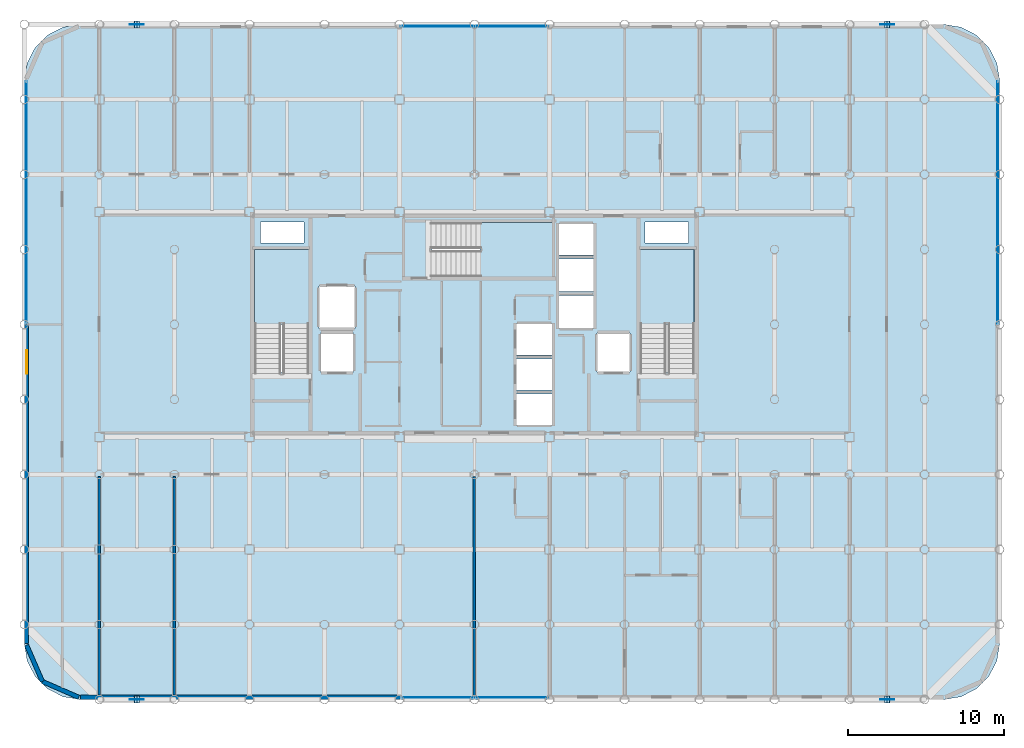
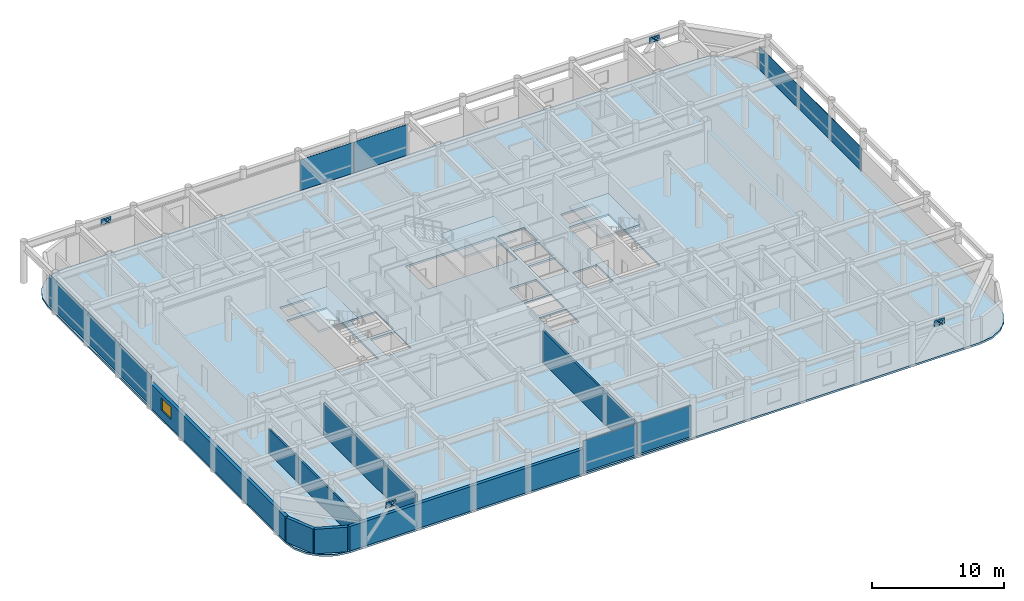
# One storey, part 16 of 22: 18 plates, 7 walls, 4 slabs, 1 window, 1 opening, 7 elements without a shape of their own.
"""IFC4 building model written with IfcOpenShell, lengths in metres."""

from ifc_helpers import new_model, si_unit, direction, frame, frame_2d, origin, origin_2d, place, context, subcontext, project, spatial, polyline, rectangle, outline, extrude, material, layer, layer_set, type_object, element, fill, aggregate, save


model = new_model("IFC4")

# Units and contexts
model_context = context("Model", 3, precision=1e-05, world=origin(), true_north=direction((0.0, 1.0)))
body_context = subcontext(model_context, "Body", "Model", "MODEL_VIEW")
ifc_project = project(units=[si_unit("LENGTHUNIT", "METRE"), si_unit("AREAUNIT", "SQUARE_METRE"), si_unit("VOLUMEUNIT", "CUBIC_METRE"), si_unit("PLANEANGLEUNIT", "RADIAN"), si_unit("MASSUNIT", "GRAM", prefix="KILO")], contexts=[model_context])

# Site, building, storey
site_placement = place(None, origin())
site = spatial("IfcSite", under=ifc_project, at=site_placement, CompositionType="ELEMENT")
building_placement = place(site_placement, origin())
building = spatial("IfcBuilding", under=site, at=building_placement, Name="Kallvorn Hotel Tower", CompositionType="ELEMENT")
storey_placement = place(building_placement, frame((0.0, 0.0, 206.89990234375)))
storey = spatial("IfcBuildingStorey", under=building, at=storey_placement, Name="L51", CompositionType="ELEMENT", Elevation=206.89990234375)

# Curtain wall, plates
ifc_material_1 = material(Name="Thermally broken black-anodised aluminium AA 6063-T6", Category="aluminium")
ifc_layer_1 = layer(ifc_material_1, 0.22998046875)
ifc_layer_set_1 = layer_set([ifc_layer_1], Name="CW_SYS_5_HOTEL_HIGH")
curtain_wall_type = type_object("IfcCurtainWallType", Name="CW_SYS_5_HOTEL_HIGH", PredefinedType="USERDEFINED", material=ifc_layer_set_1)
curtain_wall_1_placement = place(storey_placement, origin())
curtain_wall_1 = element("IfcCurtainWall", 1, at=curtain_wall_1_placement, inside=storey, type_object=curtain_wall_type, Name="L51 Dark-Glass Curtain Wall CW-L51-SC", ObjectType="UNITISED CURTAIN WALL", PredefinedType="USERDEFINED")
ifc_material_2 = material(Name="Triple-glazed low-e acoustic solar-control dark glass", Category="glass")
ifc_layer_2 = layer(ifc_material_2, 0.04150390625)
ifc_layer_set_2 = layer_set([ifc_layer_2], Name="CW_SYS_5_HOTEL_HIGH_PANEL")
plate_type_1 = type_object("IfcPlateType", Name="CW_SYS_5_HOTEL_HIGH_PANEL", PredefinedType="CURTAIN_PANEL", material=ifc_layer_set_2)
plate_1_placement = place(storey_placement, frame((-2.375, -23.8798828125, 0.06005859375), z_axis=(0.0, 0.0, 1.0), x_axis=(1.0, 0.0, 0.0)))
plate_1 = element("IfcPlate", 2, at=plate_1_placement, type_object=plate_type_1, Name="CW-L51-SC Vision Glass Panel 00", PredefinedType="CURTAIN_PANEL", context=body_context, shape_type="SweptSolid", body=[
    extrude(rectangle(XDim=4.68994140625, YDim=0.04150390625, at=origin_2d()), origin(), (0.0, 0.0, 1.0), 2.89990234375),
])
plate_2_placement = place(storey_placement, frame((2.375, -23.8798828125, 0.06005859375), z_axis=(0.0, 0.0, 1.0), x_axis=(1.0, 0.0, 0.0)))
plate_2 = element("IfcPlate", 3, at=plate_2_placement, type_object=plate_type_1, Name="CW-L51-SC Vision Glass Panel 01", PredefinedType="CURTAIN_PANEL", context=body_context, shape_type="SweptSolid", body=[
    extrude(rectangle(XDim=4.68994140625, YDim=0.04150390625, at=origin_2d()), origin(), (0.0, 0.0, 1.0), 2.89990234375),
])
aggregate(curtain_wall_1, [plate_1, plate_2])

curtain_wall_2_placement = place(storey_placement, origin())
curtain_wall_2 = element("IfcCurtainWall", 4, at=curtain_wall_2_placement, inside=storey, type_object=curtain_wall_type, Name="L51 Dark-Glass Curtain Wall CW-L51-NC", ObjectType="UNITISED CURTAIN WALL", PredefinedType="USERDEFINED")
plate_3_placement = place(storey_placement, frame((-2.375, 19.080078125, 0.06005859375), z_axis=(0.0, 0.0, 1.0), x_axis=(1.0, 0.0, 0.0)))
plate_3 = element("IfcPlate", 5, at=plate_3_placement, type_object=plate_type_1, Name="CW-L51-NC Vision Glass Panel 00", PredefinedType="CURTAIN_PANEL", context=body_context, shape_type="SweptSolid", body=[
    extrude(rectangle(XDim=4.68994140625, YDim=0.04150390625, at=origin_2d()), origin(), (0.0, 0.0, 1.0), 2.85009765625),
])
plate_4_placement = place(storey_placement, frame((2.375, 19.080078125, 0.06005859375), z_axis=(0.0, 0.0, 1.0), x_axis=(1.0, 0.0, 0.0)))
plate_4 = element("IfcPlate", 6, at=plate_4_placement, type_object=plate_type_1, Name="CW-L51-NC Vision Glass Panel 01", PredefinedType="CURTAIN_PANEL", context=body_context, shape_type="SweptSolid", body=[
    extrude(rectangle(XDim=4.68994140625, YDim=0.04150390625, at=origin_2d()), origin(), (0.0, 0.0, 1.0), 2.85009765625),
])
aggregate(curtain_wall_2, [plate_3, plate_4])

# Curtain wall, plate
curtain_wall_3_placement = place(storey_placement, origin())
curtain_wall_3 = element("IfcCurtainWall", 7, at=curtain_wall_3_placement, inside=storey, type_object=curtain_wall_type, Name="L51 Dark-Glass Curtain Wall CW-L51-WN", ObjectType="UNITISED CURTAIN WALL", PredefinedType="USERDEFINED")
plate_5_placement = place(storey_placement, frame((-28.679931640625, 7.81005859375, 0.06005859375), z_axis=(0.0, 0.0, 1.0), x_axis=(0.0, 1.0, 0.0)))
plate_5 = element("IfcPlate", 8, at=plate_5_placement, type_object=plate_type_1, Name="CW-L51-WN Vision Glass Panel 00", PredefinedType="CURTAIN_PANEL", context=body_context, shape_type="SweptSolid", body=[
    extrude(rectangle(XDim=15.52001953125, YDim=0.04150390625, at=origin_2d()), origin(), (0.0, 0.0, 1.0), 2.85009765625),
])
aggregate(curtain_wall_3, [plate_5])

curtain_wall_4_placement = place(storey_placement, origin())
curtain_wall_4 = element("IfcCurtainWall", 9, at=curtain_wall_4_placement, inside=storey, type_object=curtain_wall_type, Name="L51 Dark-Glass Curtain Wall CW-L51-EN", ObjectType="UNITISED CURTAIN WALL", PredefinedType="USERDEFINED")
plate_6_placement = place(storey_placement, frame((33.47998046875, 7.81005859375, 0.06005859375), z_axis=(0.0, 0.0, 1.0), x_axis=(0.0, 1.0, 0.0)))
plate_6 = element("IfcPlate", 10, at=plate_6_placement, type_object=plate_type_1, Name="CW-L51-EN Vision Glass Panel 00", PredefinedType="CURTAIN_PANEL", context=body_context, shape_type="SweptSolid", body=[
    extrude(rectangle(XDim=15.52001953125, YDim=0.04150390625, at=origin_2d()), origin(), (0.0, 0.0, 1.0), 2.14990234375),
])
aggregate(curtain_wall_4, [plate_6])

# Plates
ifc_material_3 = material(Name="Structural steel S355JR", Category="steel")
ifc_layer_3 = layer(ifc_material_3, 0.030029296875)
ifc_layer_set_3 = layer_set([ifc_layer_3], Name="PLT_CAP_30")
plate_type_2 = type_object("IfcPlateType", Name="PLT_CAP_30", PredefinedType="SHEET", material=ifc_layer_set_3)
for number, where, z_axis, x_axis, name in (
    (11, (-21.424072265625, -24.2177734375, 3.03125), (0.627357871236, 0.0, 0.778731084135), (0.0, 1.0, 0.0), "EXO-L51-S1A End Cap Plate B"),
    (12, (-21.77587890625, -23.7822265625, 3.03125), (-0.627357871236, 0.0, 0.778731084135), (0.0, -1.0, 0.0), "EXO-L51-S1B End Cap Plate B"),
    (13, (26.575927734375, -24.2177734375, 3.03125), (0.627357871236, 0.0, 0.778731084135), (0.0, 1.0, 0.0), "EXO-L51-S2A End Cap Plate B"),
    (14, (26.22412109375, -23.7822265625, 3.03125), (-0.627357871236, 0.0, 0.778731084135), (0.0, -1.0, 0.0), "EXO-L51-S2B End Cap Plate B"),
    (15, (-21.424072265625, 18.982177734375, 3.03125), (0.627357871236, 0.0, 0.778731084135), (0.0, 1.0, 0.0), "EXO-L51-N1A End Cap Plate B"),
    (16, (-21.77587890625, 19.417724609375, 3.03125), (-0.627357871236, 0.0, 0.778731084135), (0.0, -1.0, 0.0), "EXO-L51-N1B End Cap Plate B"),
    (17, (26.575927734375, 18.982177734375, 3.03125), (0.627357871236, 0.0, 0.778731084135), (0.0, 1.0, 0.0), "EXO-L51-N2A End Cap Plate B"),
    (18, (26.22412109375, 19.417724609375, 3.03125), (-0.627357871236, 0.0, 0.778731084135), (0.0, -1.0, 0.0), "EXO-L51-N2B End Cap Plate B"),
):
    element("IfcPlate", number, at=place(storey_placement, frame(where, z_axis=z_axis, x_axis=x_axis)), inside=storey, type_object=plate_type_2, Name=name, PredefinedType="SHEET", context=body_context, shape_type="SweptSolid", body=[
        extrude(outline(polyline([(0.0, 0.0), (0.435546875, 0.0), (0.435546875, 0.4354665365665878), (0.0, 0.4354665365665878), (0.0, 0.0)])), origin(), (0.0, 0.0, -1.0), 0.030029296875),
    ])
ifc_material_4 = material(Name="Structural steel S355JR", Category="steel")
ifc_layer_4 = layer(ifc_material_4, 0.034912109375)
ifc_layer_set_4 = layer_set([ifc_layer_4], Name="PLT_GUSSET_35")
plate_type_3 = type_object("IfcPlateType", Name="PLT_GUSSET_35", PredefinedType="USERDEFINED", material=ifc_layer_set_4)
for number, where, z_axis, x_axis, name in (
    (19, (-21.60009765625, -24.0, 2.840087890625), (0.0, 0.0, 1.0), (1.0, 0.0, 0.0), "L51 Exoskeleton Node Gusset S1"),
    (20, (26.39990234375, -24.0, 2.840087890625), (0.0, 0.0, 1.0), (1.0, 0.0, 0.0), "L51 Exoskeleton Node Gusset S2"),
    (21, (-21.60009765625, 19.199951171875, 2.840087890625), (0.0, 0.0, 1.0), (1.0, 0.0, 0.0), "L51 Exoskeleton Node Gusset N1"),
    (22, (26.39990234375, 19.199951171875, 2.840087890625), (0.0, 0.0, 1.0), (1.0, 0.0, 0.0), "L51 Exoskeleton Node Gusset N2"),
):
    element("IfcPlate", number, at=place(storey_placement, frame(where, z_axis=z_axis, x_axis=x_axis)), inside=storey, type_object=plate_type_3, Name=name, ObjectType="GUSSET PLATE", PredefinedType="USERDEFINED", context=body_context, shape_type="SweptSolid", body=[
        extrude(rectangle(XDim=0.89990234375, YDim=0.034912109375, at=origin_2d()), origin(), (0.0, 0.0, 1.0), 0.56005859375),
    ])

# Stair, slab
ifc_material_5 = material(Name="Precast concrete C40/50", Category="concrete")
stair_type = type_object("IfcStairType", Name="STR_CORE_DOGLEG", PredefinedType="HALF_TURN_STAIR", material=ifc_material_5)
stair_1_placement = place(storey_placement, origin())
stair_1 = element("IfcStair", 23, at=stair_1_placement, inside=storey, type_object=stair_type, Name="L51 Exit stair ST1", PredefinedType="HALF_TURN_STAIR")
ifc_material_6 = material(Name="Precast concrete C40/50", Category="concrete")
ifc_layer_5 = layer(ifc_material_6, 0.179931640625)
ifc_layer_set_5 = layer_set([ifc_layer_5], Name="SLB_LANDING_180")
slab_type_1 = type_object("IfcSlabType", Name="SLB_LANDING_180", PredefinedType="LANDING", material=ifc_layer_set_5)
slab_1_placement = place(storey_placement, frame((0.0, 0.0, 1.72509765625)))
slab_1 = element("IfcSlab", 24, at=slab_1_placement, type_object=slab_type_1, Name="ST1 landing 1", PredefinedType="LANDING", context=body_context, shape_type="SweptSolid", body=[
    extrude(outline(polyline([(-10.60009765625, 0.010009765625), (-10.60009765625, 4.800048828125), (-14.06005859375, 4.800048828125), (-14.06005859375, 0.010009765625), (-10.60009765625, 0.010009765625)])), origin(), (0.0, 0.0, 1.0), 0.199951171875),
])
aggregate(stair_1, [slab_1])

stair_2_placement = place(storey_placement, origin())
stair_2 = element("IfcStair", 25, at=stair_2_placement, inside=storey, type_object=stair_type, Name="L51 Exit stair ST2", PredefinedType="HALF_TURN_STAIR")
slab_2_placement = place(storey_placement, frame((0.0, 0.0, 1.72509765625)))
slab_2 = element("IfcSlab", 26, at=slab_2_placement, type_object=slab_type_1, Name="ST2 landing 1", PredefinedType="LANDING", context=body_context, shape_type="SweptSolid", body=[
    extrude(outline(polyline([(14.06005859375, 0.010009765625), (14.06005859375, 4.800048828125), (10.60009765625, 4.800048828125), (10.60009765625, 0.010009765625), (14.06005859375, 0.010009765625)])), origin(), (0.0, 0.0, 1.0), 0.199951171875),
])
aggregate(stair_2, [slab_2])

stair_3_placement = place(storey_placement, origin())
stair_3 = element("IfcStair", 27, at=stair_3_placement, inside=storey, type_object=stair_type, Name="L51 Exit stair ST3", PredefinedType="HALF_TURN_STAIR")
slab_3_placement = place(storey_placement, frame((0.0, 0.0, 1.72509765625)))
slab_3 = element("IfcSlab", 28, at=slab_3_placement, type_object=slab_type_1, Name="ST3 landing 1", PredefinedType="LANDING", context=body_context, shape_type="SweptSolid", body=[
    extrude(outline(polyline([(0.360107421875, 3.050048828125), (5.050048828125, 3.050048828125), (5.050048828125, 6.510009765625), (0.360107421875, 6.510009765625), (0.360107421875, 3.050048828125)])), origin(), (0.0, 0.0, 1.0), 0.199951171875),
])
aggregate(stair_3, [slab_3])

# Slab
ifc_material_7 = material(Name="Concrete C40/50", Category="concrete")
ifc_layer_6 = layer(ifc_material_7, 0.179931640625)
ifc_layer_set_6 = layer_set([ifc_layer_6], Name="SLB_TOWER_180")
slab_type_2 = type_object("IfcSlabType", Name="SLB_TOWER_180", PredefinedType="FLOOR", material=ifc_layer_set_6)
slab_4_placement = place(storey_placement, frame((0.0, 0.0, -0.179931640625)))
element("IfcSlab", 29, at=slab_4_placement, inside=storey, type_object=slab_type_2, Name="L51 Structural Floor Slab", PredefinedType="FLOOR", context=body_context, shape_type="SweptSolid", body=[
    extrude(outline(polyline([(30.0, -24.0), (31.112548828125, -23.82373046875), (32.115966796875, -23.3125), (32.91259765625, -22.51611328125), (33.423828125, -21.512451171875), (33.60009765625, -20.39990234375), (33.60009765625, 15.60009765625), (33.423828125, 16.71240234375), (32.91259765625, 17.716064453125), (32.115966796875, 18.512451171875), (31.112548828125, 19.023681640625), (30.0, 19.199951171875), (-25.199951171875, 19.199951171875), (-26.3125, 19.023681640625), (-27.31591796875, 18.512451171875), (-28.112548828125, 17.716064453125), (-28.623779296875, 16.71240234375), (-28.800048828125, 15.60009765625), (-28.800048828125, -20.39990234375), (-28.623779296875, -21.512451171875), (-28.112548828125, -22.51611328125), (-27.31591796875, -23.3125), (-26.3125, -23.82373046875), (-25.199951171875, -24.0), (30.0, -24.0)]), holes=[polyline([(-10.60009765625, -3.070068359375), (-10.60009765625, 4.800048828125), (-14.06005859375, 4.800048828125), (-14.06005859375, -3.070068359375), (-10.60009765625, -3.070068359375)]), polyline([(14.06005859375, -3.070068359375), (14.06005859375, 4.800048828125), (10.60009765625, 4.800048828125), (10.60009765625, -3.070068359375), (14.06005859375, -3.070068359375)]), polyline([(-2.719970703125, 3.050048828125), (5.050048828125, 3.050048828125), (5.050048828125, 6.510009765625), (-2.719970703125, 6.510009765625), (-2.719970703125, 3.050048828125)]), polyline([(2.64990234375, -6.449951171875), (5.0, -6.449951171875), (5.0, -4.449951171875), (2.64990234375, -4.449951171875), (2.64990234375, -6.449951171875)]), polyline([(2.64990234375, -4.199951171875), (5.0, -4.199951171875), (5.0, -2.199951171875), (2.64990234375, -2.199951171875), (2.64990234375, -4.199951171875)]), polyline([(2.64990234375, -1.949951171875), (5.0, -1.949951171875), (5.0, 0.050048828125), (2.64990234375, 0.050048828125), (2.64990234375, -1.949951171875)]), polyline([(5.35009765625, -0.25), (7.64990234375, -0.25), (7.64990234375, 1.85009765625), (5.35009765625, 1.85009765625), (5.35009765625, -0.25)]), polyline([(5.35009765625, 2.10009765625), (7.64990234375, 2.10009765625), (7.64990234375, 4.199951171875), (5.35009765625, 4.199951171875), (5.35009765625, 2.10009765625)]), polyline([(5.35009765625, 4.449951171875), (7.64990234375, 4.449951171875), (7.64990234375, 6.449951171875), (5.35009765625, 6.449951171875), (5.35009765625, 4.449951171875)]), polyline([(-9.85009765625, -3.050048828125), (-7.75, -3.050048828125), (-7.75, -0.550048828125), (-9.85009765625, -0.550048828125), (-9.85009765625, -3.050048828125)]), polyline([(7.85009765625, -3.050048828125), (9.949951171875, -3.050048828125), (9.949951171875, -0.550048828125), (7.85009765625, -0.550048828125), (7.85009765625, -3.050048828125)]), polyline([(-9.949951171875, -0.25), (-7.64990234375, -0.25), (-7.64990234375, 2.449951171875), (-9.949951171875, 2.449951171875), (-9.949951171875, -0.25)]), polyline([(-13.699951171875, 5.199951171875), (-10.89990234375, 5.199951171875), (-10.89990234375, 6.550048828125), (-13.699951171875, 6.550048828125), (-13.699951171875, 5.199951171875)]), polyline([(10.89990234375, 5.199951171875), (13.699951171875, 5.199951171875), (13.699951171875, 6.550048828125), (10.89990234375, 6.550048828125), (10.89990234375, 5.199951171875)])]), origin(), (0.0, 0.0, 1.0), 0.179931640625),
])

# Walls
ifc_material_8 = material(Name="Fire-rated double-layer acoustic gypsum drywall EI 60")
ifc_layer_7 = layer(ifc_material_8, 0.159912109375)
ifc_layer_set_7 = layer_set([ifc_layer_7], Name="WL_DEMISE_160")
wall_type_1 = type_object("IfcWallType", Name="WL_DEMISE_160", PredefinedType="PARTITIONING", material=ifc_layer_set_7)
wall_1_placement = place(storey_placement, frame((0.0, -23.794921875, 0.0), z_axis=(0.0, 0.0, 1.0), x_axis=(0.0, 1.0, 0.0)))
element("IfcWall", 30, at=wall_1_placement, inside=storey, type_object=wall_type_1, Name="L51 Suite 5101 Deluxe King Room Partition", PredefinedType="PARTITIONING", context=body_context, shape_type="SweptSolid", body=[
    extrude(rectangle(XDim=14.074951171875, YDim=0.159912109375, at=frame_2d((7.03759765625, 0.0))), origin(), (0.0, 0.0, 1.0), 2.97021484375),
])
ifc_material_9 = material(Name="Precast basalt-clad insulated concrete wall C40/50", Category="masonry")
ifc_layer_8 = layer(ifc_material_9, 0.280029296875)
ifc_layer_set_8 = layer_set([ifc_layer_8], Name="WL_EXT_LOGGIA_280")
wall_type_2 = type_object("IfcWallType", Name="WL_EXT_LOGGIA_280", PredefinedType="SOLIDWALL", material=ifc_layer_set_8)
wall_2_placement = place(storey_placement, frame((-28.657958984375, -20.520751953125, 0.0), z_axis=(0.0, 0.0, 1.0), x_axis=(0.398792985289, -0.917040977756, 0.0)))
element("IfcWall", 31, at=wall_2_placement, inside=storey, type_object=wall_type_2, Name="L51 Rounded Corner Exterior Wall SW1", PredefinedType="SOLIDWALL", context=body_context, shape_type="SweptSolid", body=[
    extrude(rectangle(XDim=2.536376953125, YDim=0.280029296875, at=frame_2d((1.26806640625, 0.0))), origin(), (0.0, 0.0, 1.0), 2.27001953125),
])
wall_3_placement = place(storey_placement, frame((-27.646484375, -22.8466796875, 0.0), z_axis=(0.0, 0.0, 1.0), x_axis=(0.917060872934, -0.398747232384, 0.0)))
element("IfcWall", 32, at=wall_3_placement, inside=storey, type_object=wall_type_2, Name="L51 Rounded Corner Exterior Wall SW2", PredefinedType="SOLIDWALL", context=body_context, shape_type="SweptSolid", body=[
    extrude(rectangle(XDim=2.5361328125, YDim=0.280029296875, at=frame_2d((1.26806640625, 0.0))), origin(), (0.0, 0.0, 1.0), 2.27001953125),
])
wall_4_placement = place(storey_placement, frame((-25.199951171875, -23.860107421875, 0.0), z_axis=(0.0, 0.0, 1.0), x_axis=(1.0, 0.0, 0.0)))
element("IfcWall", 33, at=wall_4_placement, inside=storey, type_object=wall_type_2, Name="L51 Exterior Envelope Wall EW-L51-SW", PredefinedType="SOLIDWALL", context=body_context, shape_type="SweptSolid", body=[
    extrude(rectangle(XDim=20.449951171875, YDim=0.280029296875, at=frame_2d((10.22509765625, 0.0))), origin(), (0.0, 0.0, 1.0), 2.27001953125),
])

# Wall, opening, window
wall_5_placement = place(storey_placement, frame((-28.659912109375, -20.39990234375, 0.0), z_axis=(0.0, 0.0, 1.0), x_axis=(0.0, 1.0, 0.0)))
wall_5 = element("IfcWall", 34, at=wall_5_placement, inside=storey, type_object=wall_type_2, Name="L51 Exterior Envelope Wall EW-L51-WS", PredefinedType="SOLIDWALL", context=body_context, shape_type="SweptSolid", body=[
    extrude(rectangle(XDim=20.3798828125, YDim=0.280029296875, at=frame_2d((10.18994140625, 0.0))), origin(), (0.0, 0.0, 1.0), 2.27001953125),
])
opening_placement = place(wall_5_placement, frame((17.25, 0.0, 0.75)))
opening = element("IfcOpeningElement", 35, at=opening_placement, cuts=wall_5, Name="Opening W05A", PredefinedType="OPENING", context=body_context, shape_type="SweptSolid", body=[
    extrude(rectangle(XDim=1.5, YDim=1.14990234375, at=frame_2d((0.75, 0.574951171875))), frame((0.0, 0.155029296875, 0.0), z_axis=(0.0, -1.0, 0.0), x_axis=(1.0, 0.0, 0.0)), (0.0, 0.0, 1.0), 0.31005859375),
])
ifc_material_10 = material(Name="Double-glazed low-e solar-control dark glass", Category="glass")
window_type = type_object("IfcWindowType", Name="WN_HTL_1500x1150", PartitioningType="SINGLE_PANEL", PredefinedType="WINDOW", material=ifc_material_10)
window_placement = place(opening_placement, origin())
window = element("IfcWindow", 36, at=window_placement, inside=storey, type_object=window_type, Name="L51 Flank Wing Window 03", OverallHeight=1.14990234375, OverallWidth=1.5, PartitioningType="SINGLE_PANEL", PredefinedType="WINDOW", context=body_context, shape_type="SweptSolid", body=[
    extrude(rectangle(XDim=1.5, YDim=1.14990234375, at=frame_2d((0.75, 0.574951171875))), frame((0.0, 0.030029296875, 0.0), z_axis=(0.0, -1.0, 0.0), x_axis=(1.0, 0.0, 0.0)), (0.0, 0.0, 1.0), 0.06005859375),
])
fill(opening, window)

# Walls
ifc_material_11 = material(Name="Fire-rated double-layer acoustic gypsum drywall EI 60")
ifc_layer_9 = layer(ifc_material_11, 0.14990234375)
ifc_layer_set_9 = layer_set([ifc_layer_9], Name="WL_PART_150")
wall_type_3 = type_object("IfcWallType", Name="WL_PART_150", PredefinedType="PARTITIONING", material=ifc_layer_set_9)
wall_6_placement = place(storey_placement, frame((-24.0, -23.7099609375, 0.0), z_axis=(0.0, 0.0, 1.0), x_axis=(0.0, 1.0, 0.0)))
element("IfcWall", 37, at=wall_6_placement, inside=storey, type_object=wall_type_3, Name="L51 L51 High-Zone South-West Tea Bar Partition", PredefinedType="PARTITIONING", context=body_context, shape_type="SweptSolid", body=[
    extrude(rectangle(XDim=13.989990234375, YDim=0.14990234375, at=frame_2d((6.9951171875, 0.0))), origin(), (0.0, 0.0, 1.0), 2.27001953125),
])
wall_7_placement = place(storey_placement, frame((-19.199951171875, -23.7099609375, 0.0), z_axis=(0.0, 0.0, 1.0), x_axis=(0.0, 1.0, 0.0)))
element("IfcWall", 38, at=wall_7_placement, inside=storey, type_object=wall_type_3, Name="L51 L51 Executive Co-Working Open-Plan Office 1 Partition", PredefinedType="PARTITIONING", context=body_context, shape_type="SweptSolid", body=[
    extrude(rectangle(XDim=13.989990234375, YDim=0.14990234375, at=frame_2d((6.9951171875, 0.0))), origin(), (0.0, 0.0, 1.0), 2.97021484375),
])

save(model, "model.ifc")
